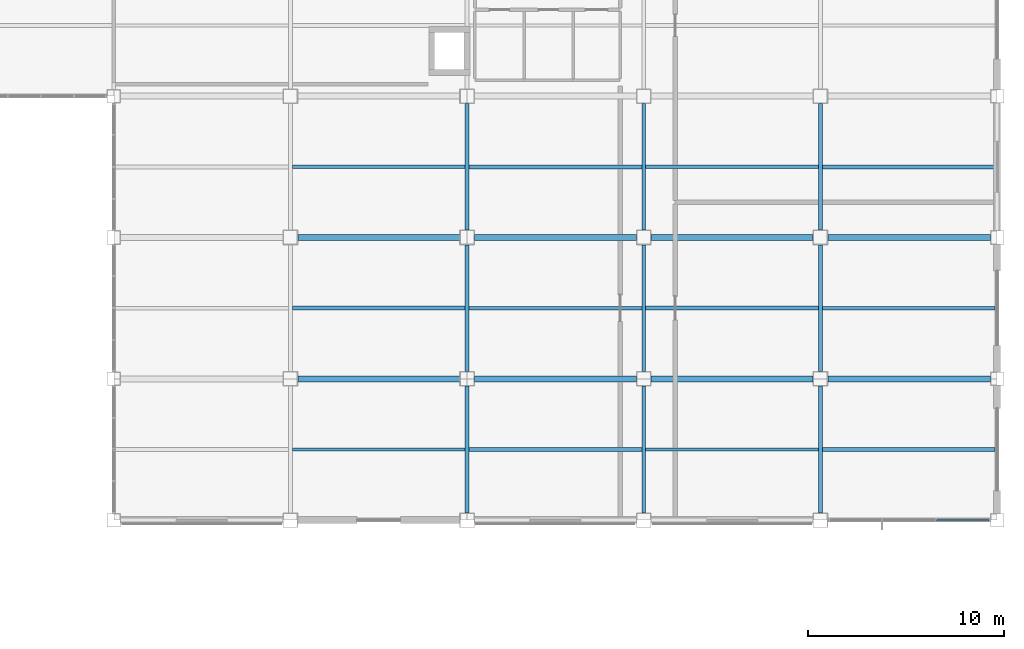
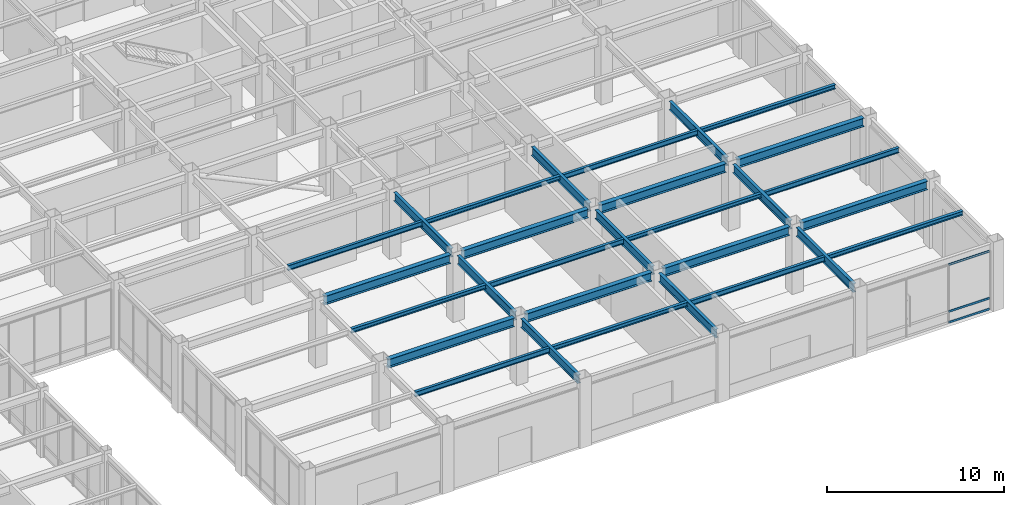
# One storey, part 76 of 112: 29 beams, 3 members, 1 element without a shape of its own.
"""IFC4 building model written with IfcOpenShell, lengths in metres."""

from ifc_helpers import new_model, si_unit, direction, frame, origin, origin_2d, place, context, subcontext, project, spatial, hollow_rectangle, i_section, extrude, material, material_profile, profile_set, type_object, element, aggregate, save


model = new_model("IFC4")

# Units and contexts
model_context = context("Model", 3, precision=1e-05, world=origin(), true_north=direction((0.0, 1.0)))
body_context = subcontext(model_context, "Body", "Model", "MODEL_VIEW")
ifc_project = project(units=[si_unit("LENGTHUNIT", "METRE"), si_unit("AREAUNIT", "SQUARE_METRE"), si_unit("VOLUMEUNIT", "CUBIC_METRE"), si_unit("PLANEANGLEUNIT", "RADIAN"), si_unit("MASSUNIT", "GRAM", prefix="KILO")], contexts=[model_context])

# Site, building, storey
site_placement = place(None, origin())
site = spatial("IfcSite", under=ifc_project, at=site_placement, CompositionType="ELEMENT")
building_placement = place(site_placement, origin())
building = spatial("IfcBuilding", under=site, at=building_placement, Name="Kazanami Central Library", CompositionType="ELEMENT")
storey_placement = place(building_placement, origin())
storey = spatial("IfcBuildingStorey", under=building, at=storey_placement, Name="L01", CompositionType="ELEMENT", Elevation=0.0)

# Beams
ifc_material_1 = material(Name="Steel SN400B (235 MPa)", Category="steel")
ifc_material_profile_1 = material_profile(ifc_material_1, i_section(OverallWidth=0.175048828125, OverallDepth=0.35009765625, WebThickness=0.007080078125, FlangeThickness=0.010986328125, at=origin_2d()), Name="H-350x175x7x11")
ifc_profile_set_1 = profile_set([ifc_material_profile_1], Name="Steel SN400B (235 MPa)")
beam_type_1 = type_object("IfcBeamType", Name="BM-B-S2", PredefinedType="JOIST", material=ifc_profile_set_1)
for number, where, z_axis, x_axis, name in (
    (1, (126.097900390625, 46.800048828125, 4.3798828125), (1.0, 0.0, 0.0), (0.0, 1.0, 0.0), "Composite Secondary Joist B-S2 L01 Bay 15/G.1"),
    (2, (126.097900390625, 61.199951171875, 4.3798828125), (1.0, 0.0, 0.0), (0.0, 1.0, 0.0), "Composite Secondary Joist B-S2 L01 Bay 15/J.1"),
    (3, (135.097900390625, 54.0, 4.3798828125), (1.0, 0.0, 0.0), (0.0, 1.0, 0.0), "Composite Secondary Joist B-S2 L01 Bay 16/H.1"),
    (4, (144.097900390625, 46.800048828125, 4.3798828125), (1.0, 0.0, 0.0), (0.0, 1.0, 0.0), "Composite Secondary Joist B-S2 L01 Bay 17/G.1"),
    (5, (144.097900390625, 61.199951171875, 4.3798828125), (1.0, 0.0, 0.0), (0.0, 1.0, 0.0), "Composite Secondary Joist B-S2 L01 Bay 17/J.1"),
    (6, (153.097900390625, 54.0, 4.3798828125), (1.0, 0.0, 0.0), (0.0, 1.0, 0.0), "Composite Secondary Joist B-S2 L01 Bay 18/H.1"),
):
    element("IfcBeam", number, at=place(storey_placement, frame(where, z_axis=z_axis, x_axis=x_axis)), inside=storey, type_object=beam_type_1, Name=name, PredefinedType="JOIST", context=body_context, shape_type="SweptSolid", body=[
        extrude(i_section(OverallWidth=0.175048828125, OverallDepth=0.35009765625, WebThickness=0.007080078125, FlangeThickness=0.010986328125, at=origin_2d()), origin(), (0.0, 0.0, 1.0), 8.80419921875),
    ])
ifc_material_profile_2 = material_profile(ifc_material_1, i_section(OverallWidth=0.199951171875, OverallDepth=0.2939453125, WebThickness=0.008056640625, FlangeThickness=0.011962890625, at=origin_2d()), Name="H-294x200x8x12")
ifc_profile_set_2 = profile_set([ifc_material_profile_2], Name="Steel SN400B (235 MPa)")
beam_type_2 = type_object("IfcBeamType", Name="BM-B-S5", PredefinedType="JOIST", material=ifc_profile_set_2)
for number, where, z_axis, x_axis, name in (
    (7, (126.097900390625, 54.0, 4.407958984375), (1.0, 0.0, 0.0), (0.0, 1.0, 0.0), "Composite Secondary Joist B-S5 L01 Bay 15/H.1"),
    (8, (135.097900390625, 46.800048828125, 4.407958984375), (1.0, 0.0, 0.0), (0.0, 1.0, 0.0), "Composite Secondary Joist B-S5 L01 Bay 16/G.1"),
    (9, (135.097900390625, 61.199951171875, 4.407958984375), (1.0, 0.0, 0.0), (0.0, 1.0, 0.0), "Composite Secondary Joist B-S5 L01 Bay 16/J.1"),
    (10, (144.097900390625, 54.0, 4.407958984375), (1.0, 0.0, 0.0), (0.0, 1.0, 0.0), "Composite Secondary Joist B-S5 L01 Bay 17/H.1"),
    (11, (153.097900390625, 46.800048828125, 4.407958984375), (1.0, 0.0, 0.0), (0.0, 1.0, 0.0), "Composite Secondary Joist B-S5 L01 Bay 18/G.1"),
    (12, (153.097900390625, 61.199951171875, 4.407958984375), (1.0, 0.0, 0.0), (0.0, 1.0, 0.0), "Composite Secondary Joist B-S5 L01 Bay 18/J.1"),
):
    element("IfcBeam", number, at=place(storey_placement, frame(where, z_axis=z_axis, x_axis=x_axis)), inside=storey, type_object=beam_type_2, Name=name, PredefinedType="JOIST", context=body_context, shape_type="SweptSolid", body=[
        extrude(i_section(OverallWidth=0.199951171875, OverallDepth=0.2939453125, WebThickness=0.008056640625, FlangeThickness=0.011962890625, at=origin_2d()), origin(), (0.0, 0.0, 1.0), 8.80419921875),
    ])
ifc_material_2 = material(Name="Steel SN490B (325 MPa)", Category="steel")
ifc_material_profile_3 = material_profile(ifc_material_2, i_section(OverallWidth=0.300048828125, OverallDepth=0.60009765625, WebThickness=0.011962890625, FlangeThickness=0.02001953125, at=origin_2d()), Name="H-600x300x12x20")
ifc_profile_set_3 = profile_set([ifc_material_profile_3], Name="Steel SN490B (325 MPa)")
beam_type_3 = type_object("IfcBeamType", Name="BM-G-X1", PredefinedType="BEAM", material=ifc_profile_set_3)
for number, where, z_axis, x_axis, name in (
    (13, (126.373046875, 50.39990234375, 4.2548828125), (1.0, 0.0, 0.0), (0.0, 1.0, 0.0), "Girder G-X1 L01 H/15-16"),
    (14, (135.373046875, 50.39990234375, 4.2548828125), (1.0, 0.0, 0.0), (0.0, 1.0, 0.0), "Girder G-X1 L01 H/16-17"),
    (15, (144.373046875, 50.39990234375, 4.2548828125), (1.0, 0.0, 0.0), (0.0, 1.0, 0.0), "Girder G-X1 L01 H/17-18"),
):
    element("IfcBeam", number, at=place(storey_placement, frame(where, z_axis=z_axis, x_axis=x_axis)), inside=storey, type_object=beam_type_3, Name=name, PredefinedType="BEAM", context=body_context, shape_type="SweptSolid", body=[
        extrude(i_section(OverallWidth=0.300048828125, OverallDepth=0.60009765625, WebThickness=0.011962890625, FlangeThickness=0.02001953125, at=origin_2d()), origin(), (0.0, 0.0, 1.0), 8.25390625),
    ])
beam_1_placement = place(storey_placement, frame((153.373046875, 50.39990234375, 4.2548828125), z_axis=(1.0, 0.0, 0.0), x_axis=(0.0, 1.0, 0.0)))
element("IfcBeam", 16, at=beam_1_placement, inside=storey, type_object=beam_type_3, Name="Girder G-X1 L01 H/18-19", PredefinedType="BEAM", context=body_context, shape_type="SweptSolid", body=[
    extrude(i_section(OverallWidth=0.300048828125, OverallDepth=0.60009765625, WebThickness=0.011962890625, FlangeThickness=0.02001953125, at=origin_2d()), origin(), (0.0, 0.0, 1.0), 8.279052734375),
])
for number, where, z_axis, x_axis, name in (
    (17, (126.373046875, 57.60009765625, 4.2548828125), (1.0, 0.0, 0.0), (0.0, 1.0, 0.0), "Girder G-X1 L01 J/15-16"),
    (18, (135.373046875, 57.60009765625, 4.2548828125), (1.0, 0.0, 0.0), (0.0, 1.0, 0.0), "Girder G-X1 L01 J/16-17"),
    (19, (144.373046875, 57.60009765625, 4.2548828125), (1.0, 0.0, 0.0), (0.0, 1.0, 0.0), "Girder G-X1 L01 J/17-18"),
):
    element("IfcBeam", number, at=place(storey_placement, frame(where, z_axis=z_axis, x_axis=x_axis)), inside=storey, type_object=beam_type_3, Name=name, PredefinedType="BEAM", context=body_context, shape_type="SweptSolid", body=[
        extrude(i_section(OverallWidth=0.300048828125, OverallDepth=0.60009765625, WebThickness=0.011962890625, FlangeThickness=0.02001953125, at=origin_2d()), origin(), (0.0, 0.0, 1.0), 8.25390625),
    ])
beam_2_placement = place(storey_placement, frame((153.373046875, 57.60009765625, 4.2548828125), z_axis=(1.0, 0.0, 0.0), x_axis=(0.0, 1.0, 0.0)))
element("IfcBeam", 20, at=beam_2_placement, inside=storey, type_object=beam_type_3, Name="Girder G-X1 L01 J/18-19", PredefinedType="BEAM", context=body_context, shape_type="SweptSolid", body=[
    extrude(i_section(OverallWidth=0.300048828125, OverallDepth=0.60009765625, WebThickness=0.011962890625, FlangeThickness=0.02001953125, at=origin_2d()), origin(), (0.0, 0.0, 1.0), 8.279052734375),
])
ifc_material_profile_4 = material_profile(ifc_material_2, i_section(OverallWidth=0.199951171875, OverallDepth=0.60009765625, WebThickness=0.010986328125, FlangeThickness=0.01708984375, at=origin_2d()), Name="H-600x200x11x17")
ifc_profile_set_4 = profile_set([ifc_material_profile_4], Name="Steel SN490B (325 MPa)")
beam_type_4 = type_object("IfcBeamType", Name="BM-G-Y1", PredefinedType="BEAM", material=ifc_profile_set_4)
for number, where, z_axis, x_axis, name in (
    (21, (135.0, 43.572998046875, 4.2548828125), (0.0, 1.0, 0.0), (-1.0, 0.0, 0.0), "Girder G-Y1 L01 16/G-H"),
    (22, (135.0, 50.77294921875, 4.2548828125), (0.0, 1.0, 0.0), (-1.0, 0.0, 0.0), "Girder G-Y1 L01 16/H-J"),
    (23, (135.0, 57.972900390625, 4.2548828125), (0.0, 1.0, 0.0), (-1.0, 0.0, 0.0), "Girder G-Y1 L01 16/J-K"),
    (24, (144.0, 43.572998046875, 4.2548828125), (0.0, 1.0, 0.0), (-1.0, 0.0, 0.0), "Girder G-Y1 L01 17/G-H"),
    (25, (144.0, 50.77294921875, 4.2548828125), (0.0, 1.0, 0.0), (-1.0, 0.0, 0.0), "Girder G-Y1 L01 17/H-J"),
    (26, (144.0, 57.972900390625, 4.2548828125), (0.0, 1.0, 0.0), (-1.0, 0.0, 0.0), "Girder G-Y1 L01 17/J-K"),
    (27, (153.0, 43.572998046875, 4.2548828125), (0.0, 1.0, 0.0), (-1.0, 0.0, 0.0), "Girder G-Y1 L01 18/G-H"),
    (28, (153.0, 50.77294921875, 4.2548828125), (0.0, 1.0, 0.0), (-1.0, 0.0, 0.0), "Girder G-Y1 L01 18/H-J"),
    (29, (153.0, 57.972900390625, 4.2548828125), (0.0, 1.0, 0.0), (-1.0, 0.0, 0.0), "Girder G-Y1 L01 18/J-K"),
):
    element("IfcBeam", number, at=place(storey_placement, frame(where, z_axis=z_axis, x_axis=x_axis)), inside=storey, type_object=beam_type_4, Name=name, PredefinedType="BEAM", context=body_context, shape_type="SweptSolid", body=[
        extrude(i_section(OverallWidth=0.199951171875, OverallDepth=0.60009765625, WebThickness=0.010986328125, FlangeThickness=0.01708984375, at=origin_2d()), origin(), (0.0, 0.0, 1.0), 6.4541015625),
    ])

# Curtain wall, members
ifc_material_3 = material(Name="Acid-Etched Low-E Laminated Glass", Category="glass")
curtain_wall_type = type_object("IfcCurtainWallType", Name="CW-8275x4055-M275", PredefinedType="USERDEFINED", material=ifc_material_3)
curtain_wall_placement = place(storey_placement, origin())
curtain_wall = element("IfcCurtainWall", 30, at=curtain_wall_placement, inside=storey, type_object=curtain_wall_type, Name="Unitised Curtain Wall CW-04 L01 S-G-17", ObjectType="UNITISED CURTAIN WALL", PredefinedType="USERDEFINED")
ifc_material_4 = material(Name="Anodised Aluminium A6063-T5", Category="aluminium")
ifc_material_profile_5 = material_profile(ifc_material_4, hollow_rectangle(XDim=0.06494140625, YDim=0.139892578125, WallThickness=0.00390625, at=origin_2d()), Name="ALU-TRAN-65x140x4")
ifc_profile_set_5 = profile_set([ifc_material_profile_5], Name="Anodised Aluminium A6063-T5")
member_type = type_object("IfcMemberType", Name="MEM-CW-T2", PredefinedType="USERDEFINED", material=ifc_profile_set_5)
member_1_placement = place(storey_placement, frame((158.924072265625, 43.199951171875, 0.032470703125), z_axis=(1.0, 0.0, 0.0), x_axis=(0.0, 1.0, 0.0)))
member_1 = element("IfcMember", 31, at=member_1_placement, type_object=member_type, Name="CW-04 transom 3.1", ObjectType="TRANSOM", PredefinedType="USERDEFINED", context=body_context, shape_type="SweptSolid", body=[
    extrude(hollow_rectangle(XDim=0.06494140625, YDim=0.139892578125, WallThickness=0.00390625, at=origin_2d()), origin(), (0.0, 0.0, 1.0), 2.660888671875),
])
member_2_placement = place(storey_placement, frame((158.924072265625, 43.199951171875, 0.780029296875), z_axis=(1.0, 0.0, 0.0), x_axis=(0.0, 1.0, 0.0)))
member_2 = element("IfcMember", 32, at=member_2_placement, type_object=member_type, Name="CW-04 transom 3.2", ObjectType="TRANSOM", PredefinedType="USERDEFINED", context=body_context, shape_type="SweptSolid", body=[
    extrude(hollow_rectangle(XDim=0.06494140625, YDim=0.139892578125, WallThickness=0.00390625, at=origin_2d()), origin(), (0.0, 0.0, 1.0), 2.660888671875),
])
member_3_placement = place(storey_placement, frame((158.924072265625, 43.199951171875, 4.0224609375), z_axis=(1.0, 0.0, 0.0), x_axis=(0.0, 1.0, 0.0)))
member_3 = element("IfcMember", 33, at=member_3_placement, type_object=member_type, Name="CW-04 transom 3.3", ObjectType="TRANSOM", PredefinedType="USERDEFINED", context=body_context, shape_type="SweptSolid", body=[
    extrude(hollow_rectangle(XDim=0.06494140625, YDim=0.139892578125, WallThickness=0.00390625, at=origin_2d()), origin(), (0.0, 0.0, 1.0), 2.660888671875),
])
aggregate(curtain_wall, [member_1, member_2, member_3])

save(model, "model.ifc")
